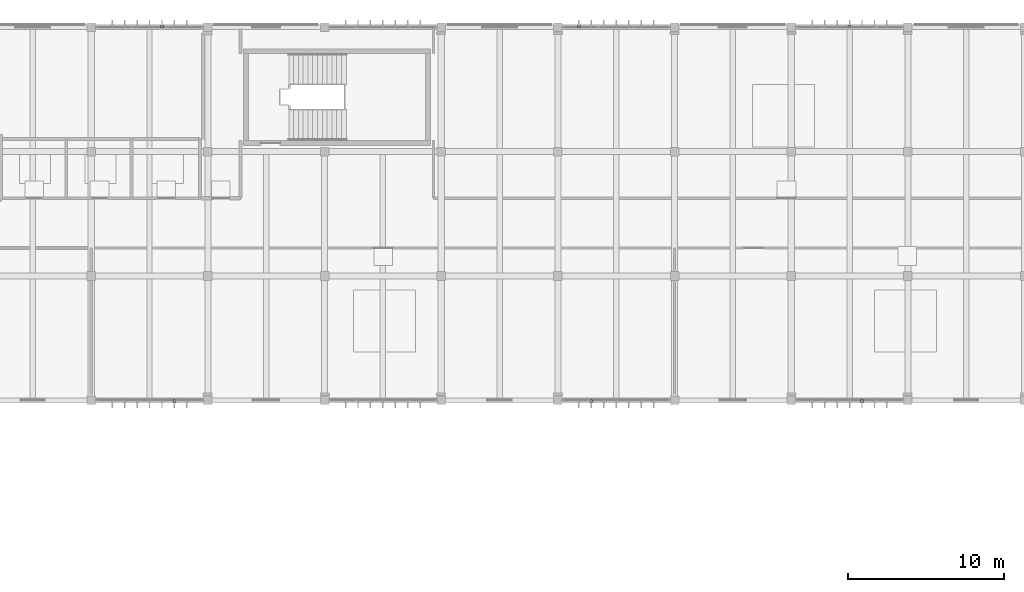
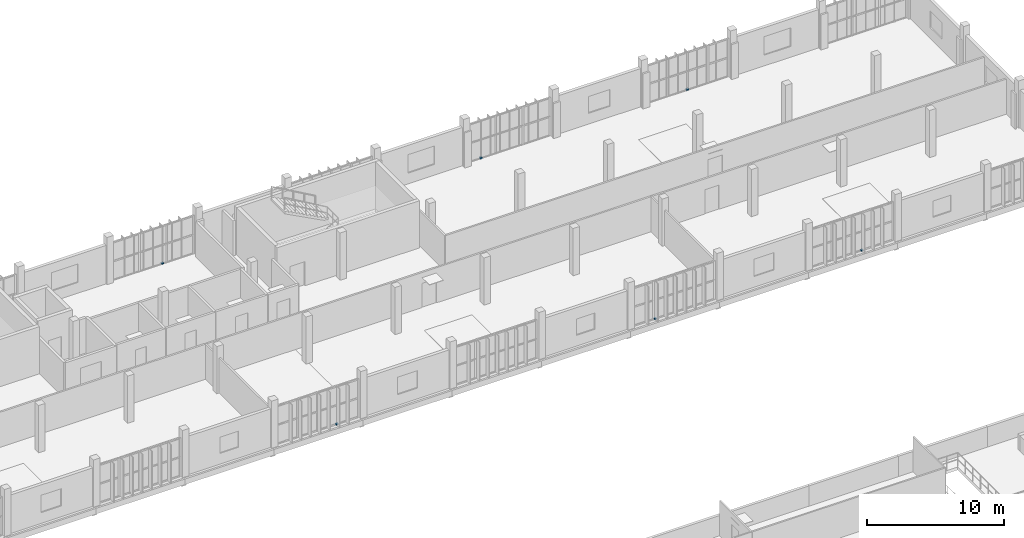
# One storey, part 49 of 61: 6 discrete accessories.
"""IFC4 building model written with IfcOpenShell, lengths in metres."""

from ifc_helpers import new_model, si_unit, direction, frame, origin, origin_2d, place, context, subcontext, project, spatial, rectangle, extrude, material, type_object, element, save


model = new_model("IFC4")

# Units and contexts
model_context = context("Model", 3, precision=1e-05, world=origin(), true_north=direction((0.0, 1.0)))
body_context = subcontext(model_context, "Body", "Model", "MODEL_VIEW")
ifc_project = project(units=[si_unit("LENGTHUNIT", "METRE"), si_unit("AREAUNIT", "SQUARE_METRE"), si_unit("VOLUMEUNIT", "CUBIC_METRE"), si_unit("PLANEANGLEUNIT", "RADIAN"), si_unit("MASSUNIT", "GRAM", prefix="KILO")], contexts=[model_context])

# Site, building, storey
site_placement = place(None, origin())
site = spatial("IfcSite", under=ifc_project, at=site_placement, CompositionType="ELEMENT")
building_placement = place(site_placement, origin())
building = spatial("IfcBuilding", under=site, at=building_placement, Name="Vourika Railside Aquatics Centre", CompositionType="ELEMENT")
storey_placement = place(building_placement, frame((0.0, 0.0, 9.300048828125)))
storey = spatial("IfcBuildingStorey", under=building, at=storey_placement, Name="L02", CompositionType="ELEMENT", Elevation=9.300048828125)

# Discrete accessories
ifc_material = material(Name="Duplex stainless steel EN 1.4462", Category="steel")
discrete_accessory_type = type_object("IfcDiscreteAccessoryType", Name="ACC-BRK-180", PredefinedType="BRACKET", material=ifc_material)
for number, where, z_axis, x_axis, name in (
    (1, (70.550048828125, 116.030029296875, 0.0), (0.0, 0.0, 1.0), (0.0, 1.0, 0.0), "Stainless Fin Shoe Bracket BK-090"),
    (2, (97.35009765625, 116.030029296875, 0.0), (0.0, 0.0, 1.0), (0.0, 1.0, 0.0), "Stainless Fin Shoe Bracket BK-091"),
    (3, (114.75, 116.030029296875, 0.0), (0.0, 0.0, 1.0), (0.0, 1.0, 0.0), "Stainless Fin Shoe Bracket BK-092"),
    (4, (71.35009765625, 91.969970703125, 0.0), (0.0, 0.0, 1.0), (0.0, -1.0, 0.0), "Stainless Fin Shoe Bracket BK-095"),
    (5, (98.14990234375, 91.969970703125, 0.0), (0.0, 0.0, 1.0), (0.0, -1.0, 0.0), "Stainless Fin Shoe Bracket BK-096"),
    (6, (115.550048828125, 91.969970703125, 0.0), (0.0, 0.0, 1.0), (0.0, -1.0, 0.0), "Stainless Fin Shoe Bracket BK-097"),
):
    element("IfcDiscreteAccessory", number, at=place(storey_placement, frame(where, z_axis=z_axis, x_axis=x_axis)), inside=storey, type_object=discrete_accessory_type, Name=name, PredefinedType="BRACKET", context=body_context, shape_type="SweptSolid", body=[
        extrude(rectangle(XDim=0.179931640625, YDim=0.179931640625, at=origin_2d()), origin(), (0.0, 0.0, 1.0), 0.1201171875),
    ])

save(model, "model.ifc")
